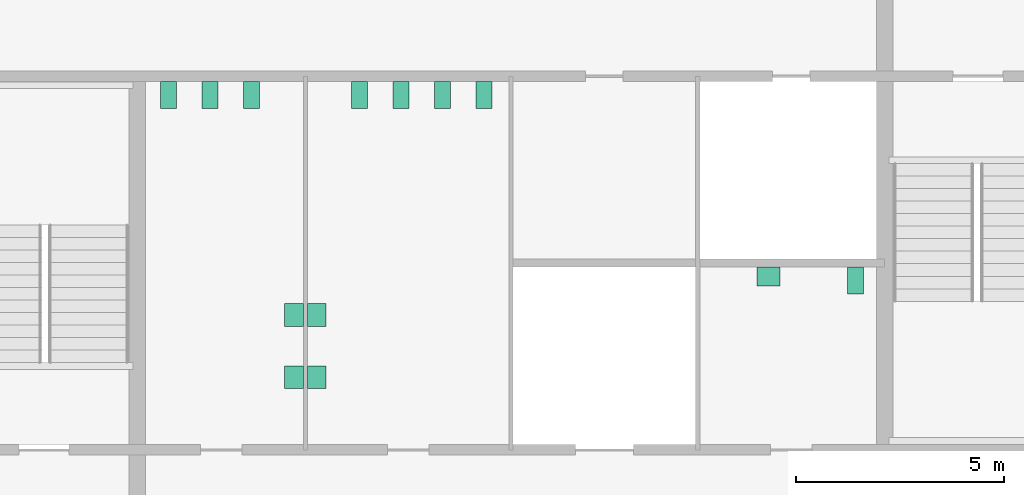
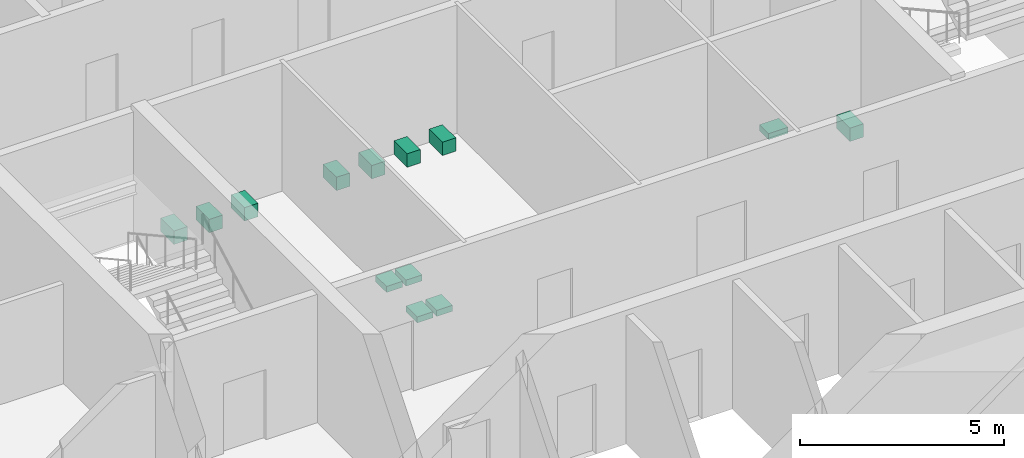
# One storey, part 12 of 12: 13 sanitary terminals.
"""IFC4 building model written with IfcOpenShell, lengths in metres."""

from ifc_helpers import new_model, si_unit, direction, frame, origin, origin_2d, place, context, subcontext, project, spatial, rectangle, extrude, material, type_object, element, save


model = new_model("IFC4")

# Units and contexts
model_context = context("Model", 3, precision=1e-05, world=origin(), true_north=direction((0.0, 1.0)))
body_context = subcontext(model_context, "Body", "Model", "MODEL_VIEW")
ifc_project = project(units=[si_unit("LENGTHUNIT", "METRE"), si_unit("AREAUNIT", "SQUARE_METRE"), si_unit("VOLUMEUNIT", "CUBIC_METRE"), si_unit("PLANEANGLEUNIT", "RADIAN"), si_unit("MASSUNIT", "GRAM", prefix="KILO")], contexts=[model_context])

# Site, building, storey
site_placement = place(None, origin())
site = spatial("IfcSite", under=ifc_project, at=site_placement, CompositionType="ELEMENT")
building_placement = place(site_placement, origin())
building = spatial("IfcBuilding", under=site, at=building_placement, Name="Corais Broadcast Tower", CompositionType="ELEMENT")
storey_placement = place(building_placement, frame((0.0, 0.0, 127.60009765625)))
storey = spatial("IfcBuildingStorey", under=building, at=storey_placement, Name="L28", CompositionType="ELEMENT", Elevation=127.60009765625)

# Sanitary terminals
ifc_material_1 = material(Name="Vitreous china", Category="ceramic")
sanitary_terminal_type_1 = type_object("IfcSanitaryTerminalType", Name="WC pan 380x650", PredefinedType="TOILETPAN", material=ifc_material_1)
for number, where, z_axis, x_axis, name in (
    (1, (18.75, 31.050048828125, 0.0), (0.0, 0.0, 1.0), (1.0, 0.0, 0.0), "SW1 WC pan, male toilets L28"),
    (2, (19.75, 31.050048828125, 0.0), (0.0, 0.0, 1.0), (1.0, 0.0, 0.0), "SW1 WC pan, male toilets L28"),
    (3, (20.75, 31.050048828125, 0.0), (0.0, 0.0, 1.0), (1.0, 0.0, 0.0), "SW1 WC pan, male toilets L28"),
    (4, (23.35009765625, 31.050048828125, 0.0), (0.0, 0.0, 1.0), (1.0, 0.0, 0.0), "SW1 WC pan, female toilets L28"),
    (5, (24.35009765625, 31.050048828125, 0.0), (0.0, 0.0, 1.0), (1.0, 0.0, 0.0), "SW1 WC pan, female toilets L28"),
    (6, (25.35009765625, 31.050048828125, 0.0), (0.0, 0.0, 1.0), (1.0, 0.0, 0.0), "SW1 WC pan, female toilets L28"),
    (7, (26.35009765625, 31.050048828125, 0.0), (0.0, 0.0, 1.0), (1.0, 0.0, 0.0), "SW1 WC pan, female toilets L28"),
    (8, (35.300048828125, 26.574951171875, 0.0), (0.0, 0.0, 1.0), (1.0, 0.0, 0.0), "SW1 WC pan, accessible WC L28"),
):
    element("IfcSanitaryTerminal", number, at=place(storey_placement, frame(where, z_axis=z_axis, x_axis=x_axis)), inside=storey, type_object=sanitary_terminal_type_1, Name=name, PredefinedType="TOILETPAN", context=body_context, shape_type="SweptSolid", body=[
        extrude(rectangle(XDim=0.3798828125, YDim=0.64990234375, at=origin_2d()), origin(), (0.0, 0.0, 1.0), 0.39990234375),
    ])
ifc_material_2 = material(Name="Vitreous china", Category="ceramic")
sanitary_terminal_type_2 = type_object("IfcSanitaryTerminalType", Name="Wash basin 550x450", PredefinedType="WASHHANDBASIN", material=ifc_material_2)
for number, where, z_axis, x_axis, name in (
    (9, (21.77490234375, 24.25, 0.69970703125), (0.0, 0.0, 1.0), (1.0, 0.0, 0.0), "WB1 wash basin, male toilets L28"),
    (10, (21.77490234375, 25.75, 0.69970703125), (0.0, 0.0, 1.0), (1.0, 0.0, 0.0), "WB1 wash basin, male toilets L28"),
    (11, (22.324951171875, 24.25, 0.69970703125), (0.0, 0.0, 1.0), (1.0, 0.0, 0.0), "WB1 wash basin, female toilets L28"),
    (12, (22.324951171875, 25.75, 0.69970703125), (0.0, 0.0, 1.0), (1.0, 0.0, 0.0), "WB1 wash basin, female toilets L28"),
):
    element("IfcSanitaryTerminal", number, at=place(storey_placement, frame(where, z_axis=z_axis, x_axis=x_axis)), inside=storey, type_object=sanitary_terminal_type_2, Name=name, PredefinedType="WASHHANDBASIN", context=body_context, shape_type="SweptSolid", body=[
        extrude(rectangle(XDim=0.449951171875, YDim=0.550048828125, at=origin_2d()), origin(), (0.0, 0.0, 1.0), 0.179931640625),
    ])
sanitary_terminal_placement = place(storey_placement, frame((33.199951171875, 26.675048828125, 0.69970703125), z_axis=(0.0, 0.0, 1.0), x_axis=(1.0, 0.0, 0.0)))
element("IfcSanitaryTerminal", 13, at=sanitary_terminal_placement, inside=storey, type_object=sanitary_terminal_type_2, Name="WB1 wash basin, accessible WC L28", PredefinedType="WASHHANDBASIN", context=body_context, shape_type="SweptSolid", body=[
    extrude(rectangle(XDim=0.550048828125, YDim=0.449951171875, at=origin_2d()), origin(), (0.0, 0.0, 1.0), 0.179931640625),
])

save(model, "model.ifc")
